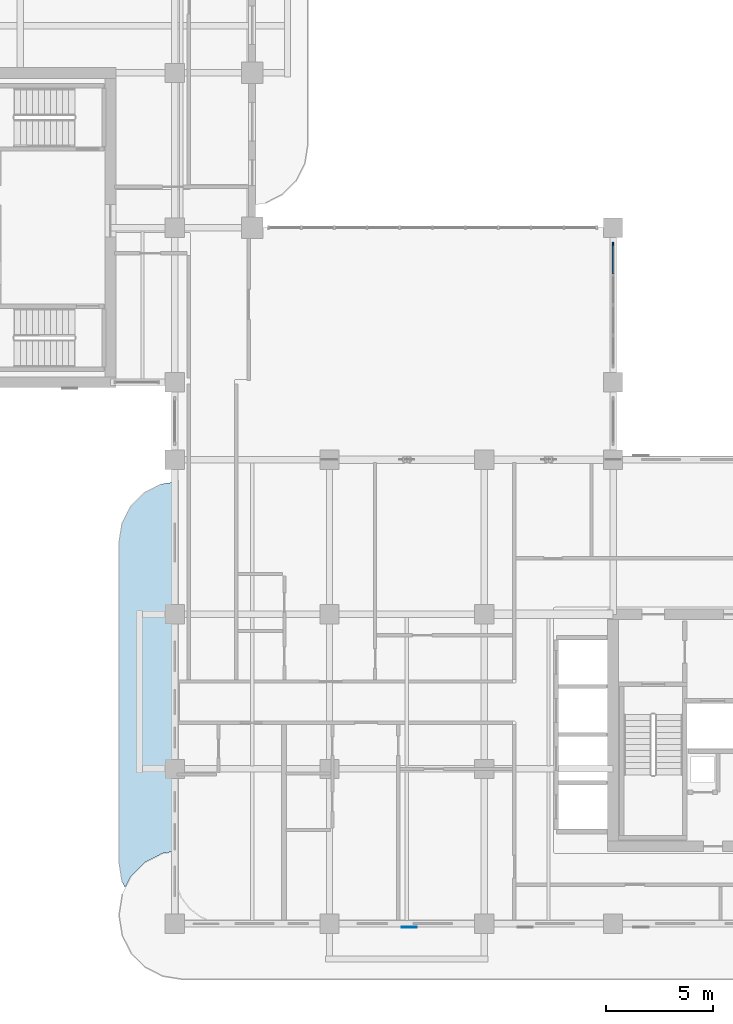
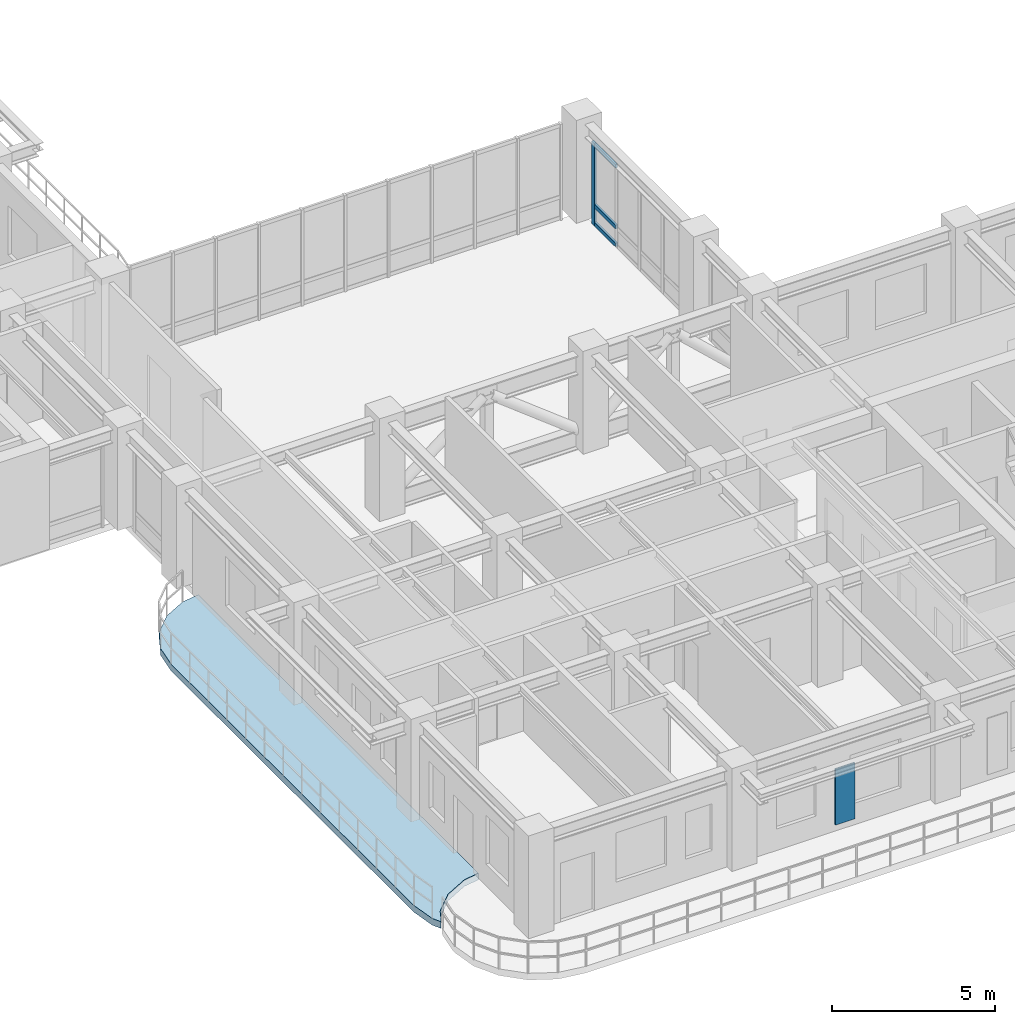
# One storey, part 5 of 19: 4 members, 1 plate, 1 slab, 1 element without a shape of its own.
"""IFC4 building model written with IfcOpenShell, lengths in metres."""

from ifc_helpers import new_model, si_unit, derived_unit, direction, frame, origin, origin_2d, place, context, subcontext, project, spatial, polyline, rectangle, outline, extrude, source, transform, mapped, material, layer, layer_set, material_profile, profile_set, type_object, type_shapes, element, aggregate, save


model = new_model("IFC4")

# Units and contexts
model_context = context("Model", 3, precision=1e-05, world=origin(), true_north=direction((0.0, 1.0)))
body_context = subcontext(model_context, "Body", "Model", "MODEL_VIEW")
ifc_project = project(units=[si_unit("LENGTHUNIT", "METRE"), si_unit("AREAUNIT", "SQUARE_METRE"), si_unit("VOLUMEUNIT", "CUBIC_METRE"), si_unit("PLANEANGLEUNIT", "RADIAN"), si_unit("MASSUNIT", "GRAM", prefix="KILO"), si_unit("THERMODYNAMICTEMPERATUREUNIT", "KELVIN"), si_unit("POWERUNIT", "WATT"), derived_unit("THERMALTRANSMITTANCEUNIT", [(si_unit("POWERUNIT", "WATT"), 1), (si_unit("AREAUNIT", "SQUARE_METRE"), -1), (si_unit("THERMODYNAMICTEMPERATUREUNIT", "KELVIN"), -1)])], contexts=[model_context])

# Site, building, storey
site_placement = place(None, origin())
site = spatial("IfcSite", under=ifc_project, at=site_placement, CompositionType="ELEMENT")
building_placement = place(site_placement, origin())
building = spatial("IfcBuilding", under=site, at=building_placement, Name="Zahravan Archway Hotel and Residences", CompositionType="ELEMENT")
storey_placement = place(building_placement, frame((0.0, 0.0, 201.89990234375)))
storey = spatial("IfcBuildingStorey", under=building, at=storey_placement, Name="L50", CompositionType="ELEMENT", Elevation=201.89990234375)

# Curtain wall, members
ifc_material_1 = material(Name="Bronze-Anodized Unitised Aluminium & Low-E Glass", Category="aluminium")
ifc_layer_1 = layer(ifc_material_1, 0.179931640625, Name="Bronze-Anodized Unitised Aluminium & Low-E Glass", Category="aluminium")
ifc_layer_set_1 = layer_set([ifc_layer_1], Name="Bronze-Anodized Unitised Aluminium & Low-E Glass")
curtain_wall_type = type_object("IfcCurtainWallType", Name="CW-SBG-2", PredefinedType="NOTDEFINED", material=ifc_layer_set_1)
curtain_wall_placement = place(storey_placement, origin())
curtain_wall = element("IfcCurtainWall", 1, at=curtain_wall_placement, inside=storey, type_object=curtain_wall_type, Name="L50 Curtain Wall CW-L50-HNG-E-2", PredefinedType="NOTDEFINED")
ifc_material_2 = material(Name="Bronze-Anodized Extruded Aluminium", Category="aluminium")
ifc_material_profile_1 = material_profile(ifc_material_2, rectangle(XDim=0.080078125, YDim=0.139892578125, at=origin_2d()), Name="TRN 80x140", Category="aluminium")
ifc_profile_set_1 = profile_set([ifc_material_profile_1], Name="Bronze-Anodized Extruded Aluminium")
member_type_1 = type_object("IfcMemberType", Name="CWM-TRN-140", PredefinedType="USERDEFINED", material=ifc_profile_set_1)
shared_shape_1 = source(origin(), body_context, "Body", "SweptSolid", [
    extrude(rectangle(XDim=0.080078125, YDim=0.139892578125, at=origin_2d()), origin(), (0.0, 0.0, 1.0), 1.340087890625),
])
member_1_placement = place(storey_placement, frame((34.800048828125, 30.260009765625, 0.070068359375), z_axis=(0.0, 1.0, 0.0), x_axis=(-1.0, 0.0, 0.0)))
member_1 = element("IfcMember", 2, at=member_1_placement, type_object=member_type_1, Name="CW-L50-HNG-E-2 Transom 3-1", ObjectType="TRANSOM", PredefinedType="USERDEFINED", context=body_context, shape_type="MappedRepresentation", body=[
    mapped(shared_shape_1, transform((0.0, 0.0, 0.0), scale=1.0)),
])
member_2_placement = place(storey_placement, frame((34.800048828125, 30.260009765625, 0.740478515625), z_axis=(0.0, 1.0, 0.0), x_axis=(-1.0, 0.0, 0.0)))
member_2 = element("IfcMember", 3, at=member_2_placement, type_object=member_type_1, Name="CW-L50-HNG-E-2 Transom 3-2", ObjectType="TRANSOM", PredefinedType="USERDEFINED", context=body_context, shape_type="MappedRepresentation", body=[
    mapped(shared_shape_1, transform((0.0, 0.0, 0.0), scale=1.0)),
])
member_3_placement = place(storey_placement, frame((34.800048828125, 30.260009765625, 3.01513671875), z_axis=(0.0, 1.0, 0.0), x_axis=(-1.0, 0.0, 0.0)))
member_3 = element("IfcMember", 4, at=member_3_placement, type_object=member_type_1, Name="CW-L50-HNG-E-2 Transom 3-3", ObjectType="TRANSOM", PredefinedType="USERDEFINED", context=body_context, shape_type="MappedRepresentation", body=[
    mapped(shared_shape_1, transform((0.0, 0.0, 0.0), scale=1.0)),
])
ifc_material_profile_2 = material_profile(ifc_material_2, rectangle(XDim=0.080078125, YDim=0.159912109375, at=origin_2d()), Name="MUL 80x160", Category="aluminium")
ifc_profile_set_2 = profile_set([ifc_material_profile_2], Name="Bronze-Anodized Extruded Aluminium")
member_type_2 = type_object("IfcMemberType", Name="CWM-MUL-160", PredefinedType="MULLION", material=ifc_profile_set_2)
shared_shape_2 = source(origin(), body_context, "Body", "SweptSolid", [
    extrude(rectangle(XDim=0.080078125, YDim=0.159912109375, at=origin_2d()), origin(), (0.0, 0.0, 1.0), 3.085205078125),
])
member_4_placement = place(storey_placement, frame((34.800048828125, 31.639892578125, 0.0), z_axis=(0.0, 0.0, 1.0), x_axis=(1.0, 0.0, 0.0)))
member_4 = element("IfcMember", 5, at=member_4_placement, type_object=member_type_2, Name="CW-L50-HNG-E-2 Mullion 4", PredefinedType="MULLION", context=body_context, shape_type="MappedRepresentation", body=[
    mapped(shared_shape_2, transform((0.0, 0.0, 0.0), scale=1.0)),
])
aggregate(curtain_wall, [member_4, member_1, member_2, member_3])

# Slab
ifc_material_3 = material(Name="Concrete C45/55", Category="concrete")
ifc_layer_2 = layer(ifc_material_3, 0.25, Name="Concrete C45/55", Category="concrete")
ifc_layer_set_2 = layer_set([ifc_layer_2], Name="Concrete C45/55")
slab_type = type_object("IfcSlabType", Name="SLB-BALC-250", PredefinedType="FLOOR", material=ifc_layer_set_2)
slab_placement = place(storey_placement, frame((0.0, 0.0, -0.25)))
element("IfcSlab", 6, at=slab_placement, inside=storey, type_object=slab_type, Name="L50 Wing A West Rounded Balcony Band", PredefinedType="FLOOR", context=body_context, shape_type="SweptSolid", body=[
    extrude(outline(polyline([(11.939453125, 1.96923828125), (11.800048828125, 2.85009765625), (11.800048828125, 17.75), (11.939453125, 18.630615234375), (12.34423828125, 19.42529296875), (12.974853515625, 20.0556640625), (13.769287109375, 20.46044921875), (14.3798828125, 20.55712890625), (14.3798828125, 3.361328125), (14.37890625, 3.361328125), (14.376953125, 3.361083984375), (13.835205078125, 3.275390625), (13.833251953125, 3.27490234375), (13.831298828125, 3.2744140625), (13.829345703125, 3.2734375), (13.0068359375, 2.8544921875), (13.005126953125, 2.853515625), (13.00341796875, 2.85205078125), (13.001953125, 2.8505859375), (12.349365234375, 2.197998046875), (12.347900390625, 2.196533203125), (12.3466796875, 2.19482421875), (12.345703125, 2.193115234375), (12.08544921875, 1.6826171875), (11.939453125, 1.96923828125)])), origin(), (0.0, 0.0, 1.0), 0.25),
])

# Plate
ifc_material_4 = material(Name="Perforated Cast Bronze Jali Lattice")
ifc_layer_3 = layer(ifc_material_4, 0.044921875, Name="Perforated Cast Bronze Jali Lattice")
ifc_layer_set_3 = layer_set([ifc_layer_3], Name="Perforated Cast Bronze Jali Lattice")
plate_type = type_object("IfcPlateType", Name="PLT-JALI-BAY", PredefinedType="USERDEFINED", material=ifc_layer_set_3)
shared_shape_3 = source(origin(), body_context, "Body", "SweptSolid", [
    extrude(rectangle(XDim=0.699951171875, YDim=0.044921875, at=origin_2d()), origin(), (0.0, 0.0, 1.0), 2.10009765625),
])
type_shapes(plate_type, [shared_shape_3])
plate_placement = place(storey_placement, frame((25.30810546875, -0.177978515625, 0.25), z_axis=(0.0, 0.0, 1.0), x_axis=(1.0, 0.0, 0.0)))
element("IfcPlate", 7, at=plate_placement, inside=storey, type_object=plate_type, Name="L50 Perforated Bronze Jali Pier Screen 01", ObjectType="SCREEN", PredefinedType="USERDEFINED", context=body_context, shape_type="MappedRepresentation", body=[
    mapped(shared_shape_3, transform((0.0, 0.0, 0.0), scale=1.0)),
])

save(model, "model.ifc")
